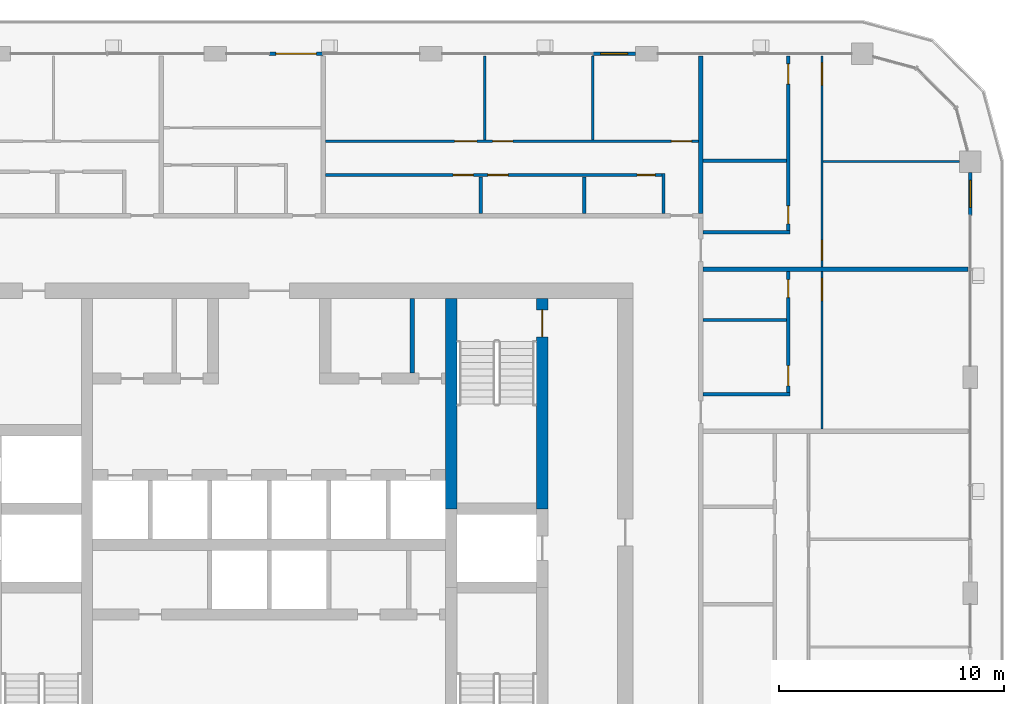
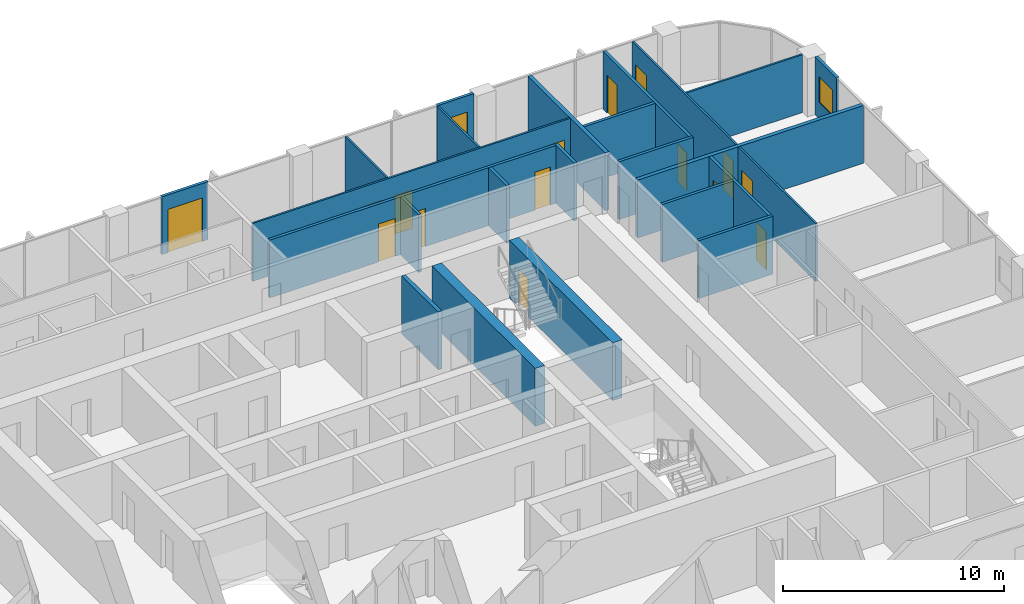
# One storey, part 15 of 22: 24 walls, 15 doors, 2 windows, 17 openings.
"""IFC4 building model written with IfcOpenShell, lengths in metres."""

from ifc_helpers import new_model, si_unit, direction, frame, frame_2d, origin, place, context, subcontext, project, spatial, rectangle, extrude, material, layer, layer_set, type_object, element, fill, save


model = new_model("IFC4")

# Units and contexts
model_context = context("Model", 3, precision=1e-05, world=origin(), true_north=direction((0.0, 1.0)))
body_context = subcontext(model_context, "Body", "Model", "MODEL_VIEW")
ifc_project = project(units=[si_unit("LENGTHUNIT", "METRE"), si_unit("AREAUNIT", "SQUARE_METRE"), si_unit("VOLUMEUNIT", "CUBIC_METRE"), si_unit("PLANEANGLEUNIT", "RADIAN"), si_unit("MASSUNIT", "GRAM", prefix="KILO")], contexts=[model_context])

# Site, building, storey
site_placement = place(None, origin())
site = spatial("IfcSite", under=ifc_project, at=site_placement, CompositionType="ELEMENT")
building_placement = place(site_placement, origin())
building = spatial("IfcBuilding", under=site, at=building_placement, Name="Madar Terraces", CompositionType="ELEMENT")
storey_placement = place(building_placement, frame((0.0, 0.0, 182.39990234375)))
storey = spatial("IfcBuildingStorey", under=building, at=storey_placement, Name="L47", CompositionType="ELEMENT", Elevation=182.39990234375)

# Wall
ifc_material_1 = material(Name="Concrete C60/75", Category="concrete")
ifc_layer_1 = layer(ifc_material_1, 0.5)
ifc_layer_set_1 = layer_set([ifc_layer_1], Name="Concrete C60/75 (CIW4 RC wall 500)")
wall_type_1 = type_object("IfcWallType", Name="CIW4 RC wall 500", PredefinedType="SHEAR", material=ifc_layer_set_1)
wall_1_placement = place(storey_placement, frame((39.300048828125, 27.75, 0.0), z_axis=(0.0, 0.0, 1.0), x_axis=(0.0, 1.0, 0.0)))
element("IfcWall", 1, at=wall_1_placement, inside=storey, type_object=wall_type_1, Name="CORE SHAFT WALL", PredefinedType="SHEAR", context=body_context, shape_type="SweptSolid", body=[
    extrude(rectangle(XDim=9.35009765625, YDim=0.5, at=frame_2d((4.675048828125, 0.0))), origin(), (0.0, 0.0, 1.0), 3.2001953125),
])

# Wall, opening, door
wall_2_placement = place(storey_placement, frame((43.35009765625, 27.75, 0.0), z_axis=(0.0, 0.0, 1.0), x_axis=(0.0, 1.0, 0.0)))
wall_2 = element("IfcWall", 2, at=wall_2_placement, inside=storey, type_object=wall_type_1, Name="CORE SHAFT WALL", PredefinedType="SHEAR", context=body_context, shape_type="SweptSolid", body=[
    extrude(rectangle(XDim=9.35009765625, YDim=0.5, at=frame_2d((4.675048828125, 0.0))), origin(), (0.0, 0.0, 1.0), 3.2001953125),
])
opening_1_placement = place(wall_2_placement, frame((7.64990234375, 0.0, 0.0)))
opening_1 = element("IfcOpeningElement", 3, at=opening_1_placement, cuts=wall_2, Name="Opening SD1", PredefinedType="OPENING", context=body_context, shape_type="SweptSolid", body=[
    extrude(rectangle(XDim=1.199951171875, YDim=2.10009765625, at=frame_2d((0.60009765625, 1.050048828125))), frame((0.0, 0.260009765625, 0.0), z_axis=(0.0, -1.0, 0.0), x_axis=(1.0, 0.0, 0.0)), (0.0, 0.0, 1.0), 0.52001953125),
])
ifc_material_2 = material(Name="Steel door leaf", Category="steel")
door_type_1 = type_object("IfcDoorType", Name="Stair door 1200 x 2100", OperationType="NOTDEFINED", PredefinedType="DOOR", material=ifc_material_2)
door_1_placement = place(opening_1_placement, origin())
door_1 = element("IfcDoor", 4, at=door_1_placement, inside=storey, type_object=door_type_1, Name="STAIR DOOR", OperationType="SINGLE_SWING_LEFT", OverallHeight=2.10009765625, OverallWidth=1.199951171875, PredefinedType="DOOR", context=body_context, shape_type="SweptSolid", body=[
    extrude(rectangle(XDim=1.199951171875, YDim=2.10009765625, at=frame_2d((0.60009765625, 1.050048828125))), frame((0.0, 0.02490234375, 0.0), z_axis=(0.0, -1.0, 0.0), x_axis=(1.0, 0.0, 0.0)), (0.0, 0.0, 1.0), 0.050048828125),
])
fill(opening_1, door_1)

# Wall
ifc_material_3 = material(Name="Masonry blockwork", Category="masonry")
ifc_layer_2 = layer(ifc_material_3, 0.199951171875)
ifc_layer_set_2 = layer_set([ifc_layer_2], Name="Core partition 200 blockwork")
wall_type_2 = type_object("IfcWallType", Name="Core partition 200 blockwork", PredefinedType="PARTITIONING", material=ifc_layer_set_2)
wall_3_placement = place(storey_placement, frame((37.571044921875, 33.800048828125, 0.0), z_axis=(0.0, 0.0, 1.0), x_axis=(0.0, 1.0, 0.0)))
element("IfcWall", 5, at=wall_3_placement, inside=storey, type_object=wall_type_2, Name="SERVICE ROOM PARTITION", PredefinedType="PARTITIONING", context=body_context, shape_type="SweptSolid", body=[
    extrude(rectangle(XDim=3.300048828125, YDim=0.199951171875, at=frame_2d((1.64990234375, 0.0))), origin(), (0.0, 0.0, 1.0), 3.2001953125),
])

# Wall, opening, window
ifc_material_4 = material(Name="Aluminium composite panel, black, over insulated backing", Category="aluminium")
ifc_layer_3 = layer(ifc_material_4, 0.14990234375)
ifc_layer_set_3 = layer_set([ifc_layer_3], Name="Facade bay panel 150")
wall_type_3 = type_object("IfcWallType", Name="Facade bay panel 150", PredefinedType="SOLIDWALL", material=ifc_layer_set_3)
wall_4_placement = place(storey_placement, frame((62.39990234375, 40.800048828125, 0.0), z_axis=(0.0, 0.0, 1.0), x_axis=(0.0, 1.0, 0.0)))
wall_4 = element("IfcWall", 6, at=wall_4_placement, inside=storey, type_object=wall_type_3, Name="Facade bay panel", PredefinedType="SOLIDWALL", context=body_context, shape_type="SweptSolid", body=[
    extrude(rectangle(XDim=1.925048828125, YDim=0.14990234375, at=frame_2d((0.96240234375, 0.0))), origin(), (0.0, 0.0, 1.0), 3.2001953125),
])
opening_2_placement = place(wall_4_placement, frame((0.362548828125, 0.0, 0.89990234375)))
opening_2 = element("IfcOpeningElement", 7, at=opening_2_placement, cuts=wall_4, Name="Opening W1", PredefinedType="OPENING", context=body_context, shape_type="SweptSolid", body=[
    extrude(rectangle(XDim=1.199951171875, YDim=1.39990234375, at=frame_2d((0.60009765625, 0.699951171875))), frame((0.0, 0.0849609375, 0.0), z_axis=(0.0, -1.0, 0.0), x_axis=(1.0, 0.0, 0.0)), (0.0, 0.0, 1.0), 0.169921875),
])
ifc_material_5 = material(Name="Glass, clear, with black aluminium frame", Category="aluminium")
window_type = type_object("IfcWindowType", Name="Vent window 1200 x 1400", PartitioningType="SINGLE_PANEL", PredefinedType="WINDOW", material=ifc_material_5)
window_1_placement = place(opening_2_placement, origin())
window_1 = element("IfcWindow", 8, at=window_1_placement, inside=storey, type_object=window_type, Name="Operable vent window", OverallHeight=1.39990234375, OverallWidth=1.199951171875, PartitioningType="SINGLE_PANEL", PredefinedType="WINDOW", context=body_context, shape_type="SweptSolid", body=[
    extrude(rectangle(XDim=1.199951171875, YDim=1.39990234375, at=frame_2d((0.60009765625, 0.699951171875))), frame((0.0, 0.030029296875, 0.0), z_axis=(0.0, -1.0, 0.0), x_axis=(1.0, 0.0, 0.0)), (0.0, 0.0, 1.0), 0.06005859375),
])
fill(opening_2, window_1)

wall_5_placement = place(storey_placement, frame((47.5, 48.0, 0.0), z_axis=(0.0, 0.0, 1.0), x_axis=(-1.0, 0.0, 0.0)))
wall_5 = element("IfcWall", 9, at=wall_5_placement, inside=storey, type_object=wall_type_3, Name="Facade bay panel", PredefinedType="SOLIDWALL", context=body_context, shape_type="SweptSolid", body=[
    extrude(rectangle(XDim=1.89990234375, YDim=0.14990234375, at=frame_2d((0.949951171875, 0.0))), origin(), (0.0, 0.0, 1.0), 3.2001953125),
])
opening_3_placement = place(wall_5_placement, frame((0.35009765625, 0.0, 0.89990234375)))
opening_3 = element("IfcOpeningElement", 10, at=opening_3_placement, cuts=wall_5, Name="Opening W1", PredefinedType="OPENING", context=body_context, shape_type="SweptSolid", body=[
    extrude(rectangle(XDim=1.199951171875, YDim=1.39990234375, at=frame_2d((0.60009765625, 0.699951171875))), frame((0.0, 0.0849609375, 0.0), z_axis=(0.0, -1.0, 0.0), x_axis=(1.0, 0.0, 0.0)), (0.0, 0.0, 1.0), 0.169921875),
])
window_2_placement = place(opening_3_placement, origin())
window_2 = element("IfcWindow", 11, at=window_2_placement, inside=storey, type_object=window_type, Name="Operable vent window", OverallHeight=1.39990234375, OverallWidth=1.199951171875, PartitioningType="SINGLE_PANEL", PredefinedType="WINDOW", context=body_context, shape_type="SweptSolid", body=[
    extrude(rectangle(XDim=1.199951171875, YDim=1.39990234375, at=frame_2d((0.60009765625, 0.699951171875))), frame((0.0, 0.030029296875, 0.0), z_axis=(0.0, -1.0, 0.0), x_axis=(1.0, 0.0, 0.0)), (0.0, 0.0, 1.0), 0.06005859375),
])
fill(opening_3, window_2)

# Wall, opening, door
wall_6_placement = place(storey_placement, frame((33.60009765625, 48.0, 0.0), z_axis=(0.0, 0.0, 1.0), x_axis=(-1.0, 0.0, 0.0)))
wall_6 = element("IfcWall", 12, at=wall_6_placement, inside=storey, type_object=wall_type_3, Name="Facade bay panel", PredefinedType="SOLIDWALL", context=body_context, shape_type="SweptSolid", body=[
    extrude(rectangle(XDim=2.400146484375, YDim=0.14990234375, at=frame_2d((1.2001953125, 0.0))), origin(), (0.0, 0.0, 1.0), 3.2001953125),
])
opening_4_placement = place(wall_6_placement, frame((0.300048828125, 0.0, 0.0)))
opening_4 = element("IfcOpeningElement", 13, at=opening_4_placement, cuts=wall_6, Name="Opening ED1", PredefinedType="OPENING", context=body_context, shape_type="SweptSolid", body=[
    extrude(rectangle(XDim=1.800048828125, YDim=2.39990234375, at=frame_2d((0.89990234375, 1.199951171875))), frame((0.0, 0.0849609375, 0.0), z_axis=(0.0, -1.0, 0.0), x_axis=(1.0, 0.0, 0.0)), (0.0, 0.0, 1.0), 0.169921875),
])
ifc_material_6 = material(Name="Glass, clear, with black aluminium frame", Category="aluminium")
door_type_2 = type_object("IfcDoorType", Name="Balcony and terrace sliding door 1800 x 2400", OperationType="SLIDING_TO_LEFT", PredefinedType="DOOR", material=ifc_material_6)
door_2_placement = place(opening_4_placement, origin())
door_2 = element("IfcDoor", 14, at=door_2_placement, inside=storey, type_object=door_type_2, Name="Balcony door", OperationType="SLIDING_TO_LEFT", OverallHeight=2.39990234375, OverallWidth=1.800048828125, PredefinedType="DOOR", context=body_context, shape_type="SweptSolid", body=[
    extrude(rectangle(XDim=1.800048828125, YDim=2.39990234375, at=frame_2d((0.89990234375, 1.199951171875))), frame((0.0, 0.02490234375, 0.0), z_axis=(0.0, -1.0, 0.0), x_axis=(1.0, 0.0, 0.0)), (0.0, 0.0, 1.0), 0.050048828125),
])
fill(opening_4, door_2)

ifc_material_7 = material(Name="Gypsum board on steel studs", Category="steel")
ifc_layer_4 = layer(ifc_material_7, 0.10009765625)
ifc_layer_set_4 = layer_set([ifc_layer_4], Name="Flat partition 100")
wall_type_4 = type_object("IfcWallType", Name="Flat partition 100", PredefinedType="PARTITIONING", material=ifc_layer_set_4)
wall_7_placement = place(storey_placement, frame((55.800048828125, 38.300048828125, 0.0), z_axis=(0.0, 0.0, 1.0), x_axis=(0.0, -1.0, 0.0)))
wall_7 = element("IfcWall", 15, at=wall_7_placement, inside=storey, type_object=wall_type_4, Name="Flat partition 100", PredefinedType="PARTITIONING", context=body_context, shape_type="SweptSolid", body=[
    extrude(rectangle(XDim=7.0, YDim=0.10009765625, at=frame_2d((3.5, 0.0))), origin(), (0.0, 0.0, 1.0), 3.2001953125),
])
opening_5_placement = place(wall_7_placement, frame((0.300048828125, 0.0, 0.0)))
opening_5 = element("IfcOpeningElement", 16, at=opening_5_placement, cuts=wall_7, Name="Opening D3", PredefinedType="OPENING", context=body_context, shape_type="SweptSolid", body=[
    extrude(rectangle(XDim=1.0, YDim=2.10009765625, at=frame_2d((0.5, 1.050048828125))), frame((0.0, 0.06005859375, 0.0), z_axis=(0.0, -1.0, 0.0), x_axis=(1.0, 0.0, 0.0)), (0.0, 0.0, 1.0), 0.1201171875),
])
ifc_material_8 = material(Name="Timber door leaf", Category="wood")
door_type_3 = type_object("IfcDoorType", Name="Flat living room door 1000", OperationType="NOTDEFINED", PredefinedType="DOOR", material=ifc_material_8)
door_3_placement = place(opening_5_placement, origin())
door_3 = element("IfcDoor", 17, at=door_3_placement, inside=storey, type_object=door_type_3, Name="Flat living room door 1000", OperationType="SINGLE_SWING_LEFT", OverallHeight=2.10009765625, OverallWidth=1.0, PredefinedType="DOOR", context=body_context, shape_type="SweptSolid", body=[
    extrude(rectangle(XDim=1.0, YDim=2.10009765625, at=frame_2d((0.5, 1.050048828125))), frame((0.0, 0.02490234375, 0.0), z_axis=(0.0, -1.0, 0.0), x_axis=(1.0, 0.0, 0.0)), (0.0, 0.0, 1.0), 0.050048828125),
])
fill(opening_5, door_3)

# Wall
wall_8_placement = place(storey_placement, frame((55.85009765625, 43.199951171875, 0.0), z_axis=(0.0, 0.0, 1.0), x_axis=(1.0, 0.0, 0.0)))
element("IfcWall", 18, at=wall_8_placement, inside=storey, type_object=wall_type_4, Name="Flat partition 100", PredefinedType="PARTITIONING", context=body_context, shape_type="SweptSolid", body=[
    extrude(rectangle(XDim=6.074951171875, YDim=0.10009765625, at=frame_2d((3.03759765625, 0.0))), origin(), (0.0, 0.0, 1.0), 3.2001953125),
])

# Wall, openings, doors
wall_9_placement = place(storey_placement, frame((55.800048828125, 47.89990234375, 0.0), z_axis=(0.0, 0.0, 1.0), x_axis=(0.0, -1.0, 0.0)))
wall_9 = element("IfcWall", 19, at=wall_9_placement, inside=storey, type_object=wall_type_4, Name="Flat partition 100", PredefinedType="PARTITIONING", context=body_context, shape_type="SweptSolid", body=[
    extrude(rectangle(XDim=9.39990234375, YDim=0.10009765625, at=frame_2d((4.699951171875, 0.0))), origin(), (0.0, 0.0, 1.0), 3.2001953125),
])
opening_6_placement = place(wall_9_placement, frame((8.199951171875, 0.0, 0.0)))
opening_6 = element("IfcOpeningElement", 20, at=opening_6_placement, cuts=wall_9, Name="Opening D2", PredefinedType="OPENING", context=body_context, shape_type="SweptSolid", body=[
    extrude(rectangle(XDim=0.89990234375, YDim=2.10009765625, at=frame_2d((0.449951171875, 1.050048828125))), frame((0.0, 0.06005859375, 0.0), z_axis=(0.0, -1.0, 0.0), x_axis=(1.0, 0.0, 0.0)), (0.0, 0.0, 1.0), 0.1201171875),
])
opening_7_placement = place(wall_9_placement, frame((0.300048828125, 0.0, 0.0)))
opening_7 = element("IfcOpeningElement", 21, at=opening_7_placement, cuts=wall_9, Name="Opening D3", PredefinedType="OPENING", context=body_context, shape_type="SweptSolid", body=[
    extrude(rectangle(XDim=1.0, YDim=2.10009765625, at=frame_2d((0.5, 1.050048828125))), frame((0.0, 0.06005859375, 0.0), z_axis=(0.0, -1.0, 0.0), x_axis=(1.0, 0.0, 0.0)), (0.0, 0.0, 1.0), 0.1201171875),
])
door_4_placement = place(opening_7_placement, origin())
door_4 = element("IfcDoor", 22, at=door_4_placement, inside=storey, type_object=door_type_3, Name="Flat living room door 1000", OperationType="SINGLE_SWING_LEFT", OverallHeight=2.10009765625, OverallWidth=1.0, PredefinedType="DOOR", context=body_context, shape_type="SweptSolid", body=[
    extrude(rectangle(XDim=1.0, YDim=2.10009765625, at=frame_2d((0.5, 1.050048828125))), frame((0.0, 0.02490234375, 0.0), z_axis=(0.0, -1.0, 0.0), x_axis=(1.0, 0.0, 0.0)), (0.0, 0.0, 1.0), 0.050048828125),
])
fill(opening_7, door_4)
ifc_material_9 = material(Name="Timber door leaf", Category="wood")
door_type_4 = type_object("IfcDoorType", Name="Flat room door 900", OperationType="NOTDEFINED", PredefinedType="DOOR", material=ifc_material_9)
door_5_placement = place(opening_6_placement, origin())
door_5 = element("IfcDoor", 23, at=door_5_placement, inside=storey, type_object=door_type_4, Name="Flat room door 900", OperationType="SINGLE_SWING_RIGHT", OverallHeight=2.10009765625, OverallWidth=0.89990234375, PredefinedType="DOOR", context=body_context, shape_type="SweptSolid", body=[
    extrude(rectangle(XDim=0.89990234375, YDim=2.10009765625, at=frame_2d((0.449951171875, 1.050048828125))), frame((0.0, 0.02490234375, 0.0), z_axis=(0.0, -1.0, 0.0), x_axis=(1.0, 0.0, 0.0)), (0.0, 0.0, 1.0), 0.050048828125),
])
fill(opening_6, door_5)

# Walls
for number, where, z_axis, x_axis, name in (
    (24, (45.60009765625, 44.14990234375, 0.0), (0.0, 0.0, 1.0), (0.0, 1.0, 0.0), "Flat partition 100"),
    (25, (40.800048828125, 44.14990234375, 0.0), (0.0, 0.0, 1.0), (0.0, 1.0, 0.0), "Flat partition 100"),
):
    element("IfcWall", number, at=place(storey_placement, frame(where, z_axis=z_axis, x_axis=x_axis)), inside=storey, type_object=wall_type_4, Name=name, PredefinedType="PARTITIONING", context=body_context, shape_type="SweptSolid", body=[
        extrude(rectangle(XDim=3.75, YDim=0.10009765625, at=frame_2d((1.875, 0.0))), origin(), (0.0, 0.0, 1.0), 3.2001953125),
    ])

# Wall, openings, doors
wall_10_placement = place(storey_placement, frame((33.699951171875, 44.10009765625, 0.0), z_axis=(0.0, 0.0, 1.0), x_axis=(1.0, 0.0, 0.0)))
wall_10 = element("IfcWall", 26, at=wall_10_placement, inside=storey, type_object=wall_type_4, Name="Flat partition 100", PredefinedType="PARTITIONING", context=body_context, shape_type="SweptSolid", body=[
    extrude(rectangle(XDim=16.60009765625, YDim=0.10009765625, at=frame_2d((8.300048828125, 0.0))), origin(), (0.0, 0.0, 1.0), 3.2001953125),
])
opening_8_placement = place(wall_10_placement, frame((15.39990234375, 0.0, 0.0)))
opening_8 = element("IfcOpeningElement", 27, at=opening_8_placement, cuts=wall_10, Name="Opening D2", PredefinedType="OPENING", context=body_context, shape_type="SweptSolid", body=[
    extrude(rectangle(XDim=0.89990234375, YDim=2.10009765625, at=frame_2d((0.449951171875, 1.050048828125))), frame((0.0, 0.06005859375, 0.0), z_axis=(0.0, -1.0, 0.0), x_axis=(1.0, 0.0, 0.0)), (0.0, 0.0, 1.0), 0.1201171875),
])
opening_9_placement = place(wall_10_placement, frame((7.449951171875, 0.0, 0.0)))
opening_9 = element("IfcOpeningElement", 28, at=opening_9_placement, cuts=wall_10, Name="Opening D2", PredefinedType="OPENING", context=body_context, shape_type="SweptSolid", body=[
    extrude(rectangle(XDim=0.89990234375, YDim=2.10009765625, at=frame_2d((0.449951171875, 1.050048828125))), frame((0.0, 0.06005859375, 0.0), z_axis=(0.0, -1.0, 0.0), x_axis=(1.0, 0.0, 0.0)), (0.0, 0.0, 1.0), 0.1201171875),
])
opening_10_placement = place(wall_10_placement, frame((5.75, 0.0, 0.0)))
opening_10 = element("IfcOpeningElement", 29, at=opening_10_placement, cuts=wall_10, Name="Opening D3", PredefinedType="OPENING", context=body_context, shape_type="SweptSolid", body=[
    extrude(rectangle(XDim=1.0, YDim=2.10009765625, at=frame_2d((0.5, 1.050048828125))), frame((0.0, 0.06005859375, 0.0), z_axis=(0.0, -1.0, 0.0), x_axis=(1.0, 0.0, 0.0)), (0.0, 0.0, 1.0), 0.1201171875),
])
door_6_placement = place(opening_10_placement, origin())
door_6 = element("IfcDoor", 30, at=door_6_placement, inside=storey, type_object=door_type_3, Name="Flat living room door 1000", OperationType="SINGLE_SWING_RIGHT", OverallHeight=2.10009765625, OverallWidth=1.0, PredefinedType="DOOR", context=body_context, shape_type="SweptSolid", body=[
    extrude(rectangle(XDim=1.0, YDim=2.10009765625, at=frame_2d((0.5, 1.050048828125))), frame((0.0, 0.02490234375, 0.0), z_axis=(0.0, -1.0, 0.0), x_axis=(1.0, 0.0, 0.0)), (0.0, 0.0, 1.0), 0.050048828125),
])
fill(opening_10, door_6)
door_7_placement = place(opening_8_placement, origin())
door_7 = element("IfcDoor", 31, at=door_7_placement, inside=storey, type_object=door_type_4, Name="Flat room door 900", OperationType="SINGLE_SWING_RIGHT", OverallHeight=2.10009765625, OverallWidth=0.89990234375, PredefinedType="DOOR", context=body_context, shape_type="SweptSolid", body=[
    extrude(rectangle(XDim=0.89990234375, YDim=2.10009765625, at=frame_2d((0.449951171875, 1.050048828125))), frame((0.0, 0.02490234375, 0.0), z_axis=(0.0, -1.0, 0.0), x_axis=(1.0, 0.0, 0.0)), (0.0, 0.0, 1.0), 0.050048828125),
])
fill(opening_8, door_7)
door_8_placement = place(opening_9_placement, origin())
door_8 = element("IfcDoor", 32, at=door_8_placement, inside=storey, type_object=door_type_4, Name="Flat room door 900", OperationType="SINGLE_SWING_LEFT", OverallHeight=2.10009765625, OverallWidth=0.89990234375, PredefinedType="DOOR", context=body_context, shape_type="SweptSolid", body=[
    extrude(rectangle(XDim=0.89990234375, YDim=2.10009765625, at=frame_2d((0.449951171875, 1.050048828125))), frame((0.0, 0.02490234375, 0.0), z_axis=(0.0, -1.0, 0.0), x_axis=(1.0, 0.0, 0.0)), (0.0, 0.0, 1.0), 0.050048828125),
])
fill(opening_9, door_8)

# Walls
ifc_material_10 = material(Name="Lightweight blockwork", Category="masonry")
ifc_layer_5 = layer(ifc_material_10, 0.199951171875)
ifc_layer_set_5 = layer_set([ifc_layer_5], Name="Flat party and entrance wall 200")
wall_type_5 = type_object("IfcWallType", Name="Flat party and entrance wall 200", PredefinedType="PARTITIONING", material=ifc_layer_set_5)
wall_11_placement = place(storey_placement, frame((50.5, 38.39990234375, 0.0), z_axis=(0.0, 0.0, 1.0), x_axis=(1.0, 0.0, 0.0)))
element("IfcWall", 33, at=wall_11_placement, inside=storey, type_object=wall_type_5, Name="Flat party and entrance wall 200", PredefinedType="PARTITIONING", context=body_context, shape_type="SweptSolid", body=[
    extrude(rectangle(XDim=11.800048828125, YDim=0.199951171875, at=frame_2d((5.89990234375, 0.0))), origin(), (0.0, 0.0, 1.0), 3.2001953125),
])
wall_12_placement = place(storey_placement, frame((50.39990234375, 40.89990234375, 0.0), z_axis=(0.0, 0.0, 1.0), x_axis=(0.0, 1.0, 0.0)))
element("IfcWall", 34, at=wall_12_placement, inside=storey, type_object=wall_type_5, Name="Flat party and entrance wall 200", PredefinedType="PARTITIONING", context=body_context, shape_type="SweptSolid", body=[
    extrude(rectangle(XDim=7.0, YDim=0.199951171875, at=frame_2d((3.5, 0.0))), origin(), (0.0, 0.0, 1.0), 3.2001953125),
])
ifc_material_11 = material(Name="Lightweight blockwork", Category="masonry")
ifc_layer_6 = layer(ifc_material_11, 0.14990234375)
ifc_layer_set_6 = layer_set([ifc_layer_6], Name="Flat wet-room partition 150")
wall_type_6 = type_object("IfcWallType", Name="Flat wet-room partition 150", PredefinedType="PARTITIONING", material=ifc_layer_set_6)
wall_13_placement = place(storey_placement, frame((50.5, 36.14990234375, 0.0), z_axis=(0.0, 0.0, 1.0), x_axis=(1.0, 0.0, 0.0)))
element("IfcWall", 35, at=wall_13_placement, inside=storey, type_object=wall_type_6, Name="Flat wet-room partition 150", PredefinedType="PARTITIONING", context=body_context, shape_type="SweptSolid", body=[
    extrude(rectangle(XDim=3.72509765625, YDim=0.14990234375, at=frame_2d((1.862548828125, 0.0))), origin(), (0.0, 0.0, 1.0), 3.2001953125),
])
wall_14_placement = place(storey_placement, frame((50.5, 32.85009765625, 0.0), z_axis=(0.0, 0.0, 1.0), x_axis=(1.0, 0.0, 0.0)))
element("IfcWall", 36, at=wall_14_placement, inside=storey, type_object=wall_type_6, Name="Flat wet-room partition 150", PredefinedType="PARTITIONING", context=body_context, shape_type="SweptSolid", body=[
    extrude(rectangle(XDim=3.875, YDim=0.14990234375, at=frame_2d((1.9375, 0.0))), origin(), (0.0, 0.0, 1.0), 3.2001953125),
])

# Wall, openings, doors
wall_15_placement = place(storey_placement, frame((54.300048828125, 32.925048828125, 0.0), z_axis=(0.0, 0.0, 1.0), x_axis=(0.0, 1.0, 0.0)))
wall_15 = element("IfcWall", 37, at=wall_15_placement, inside=storey, type_object=wall_type_6, Name="Flat wet-room partition 150", PredefinedType="PARTITIONING", context=body_context, shape_type="SweptSolid", body=[
    extrude(rectangle(XDim=5.375, YDim=0.14990234375, at=frame_2d((2.6875, 0.0))), origin(), (0.0, 0.0, 1.0), 3.2001953125),
])
opening_11_placement = place(wall_15_placement, frame((0.300048828125, 0.0, 0.0)))
opening_11 = element("IfcOpeningElement", 38, at=opening_11_placement, cuts=wall_15, Name="Opening D2", PredefinedType="OPENING", context=body_context, shape_type="SweptSolid", body=[
    extrude(rectangle(XDim=0.89990234375, YDim=2.10009765625, at=frame_2d((0.449951171875, 1.050048828125))), frame((0.0, 0.0849609375, 0.0), z_axis=(0.0, -1.0, 0.0), x_axis=(1.0, 0.0, 0.0)), (0.0, 0.0, 1.0), 0.169921875),
])
opening_12_placement = place(wall_15_placement, frame((4.22509765625, 0.0, 0.0)))
opening_12 = element("IfcOpeningElement", 39, at=opening_12_placement, cuts=wall_15, Name="Opening D4", PredefinedType="OPENING", context=body_context, shape_type="SweptSolid", body=[
    extrude(rectangle(XDim=0.800048828125, YDim=2.10009765625, at=frame_2d((0.39990234375, 1.050048828125))), frame((0.0, 0.0849609375, 0.0), z_axis=(0.0, -1.0, 0.0), x_axis=(1.0, 0.0, 0.0)), (0.0, 0.0, 1.0), 0.169921875),
])
ifc_material_12 = material(Name="Timber door leaf", Category="wood")
door_type_5 = type_object("IfcDoorType", Name="Flat bathroom door 800", OperationType="NOTDEFINED", PredefinedType="DOOR", material=ifc_material_12)
door_9_placement = place(opening_12_placement, origin())
door_9 = element("IfcDoor", 40, at=door_9_placement, inside=storey, type_object=door_type_5, Name="Flat bathroom door 800", OperationType="SINGLE_SWING_RIGHT", OverallHeight=2.10009765625, OverallWidth=0.800048828125, PredefinedType="DOOR", context=body_context, shape_type="SweptSolid", body=[
    extrude(rectangle(XDim=0.800048828125, YDim=2.10009765625, at=frame_2d((0.39990234375, 1.050048828125))), frame((0.0, 0.02490234375, 0.0), z_axis=(0.0, -1.0, 0.0), x_axis=(1.0, 0.0, 0.0)), (0.0, 0.0, 1.0), 0.050048828125),
])
fill(opening_12, door_9)
door_10_placement = place(opening_11_placement, origin())
door_10 = element("IfcDoor", 41, at=door_10_placement, inside=storey, type_object=door_type_4, Name="Flat room door 900", OperationType="SINGLE_SWING_LEFT", OverallHeight=2.10009765625, OverallWidth=0.89990234375, PredefinedType="DOOR", context=body_context, shape_type="SweptSolid", body=[
    extrude(rectangle(XDim=0.89990234375, YDim=2.10009765625, at=frame_2d((0.449951171875, 1.050048828125))), frame((0.0, 0.02490234375, 0.0), z_axis=(0.0, -1.0, 0.0), x_axis=(1.0, 0.0, 0.0)), (0.0, 0.0, 1.0), 0.050048828125),
])
fill(opening_11, door_10)

# Walls
wall_16_placement = place(storey_placement, frame((50.5, 43.235107421875, 0.0), z_axis=(0.0, 0.0, 1.0), x_axis=(1.0, 0.0, 0.0)))
element("IfcWall", 42, at=wall_16_placement, inside=storey, type_object=wall_type_6, Name="Flat wet-room partition 150", PredefinedType="PARTITIONING", context=body_context, shape_type="SweptSolid", body=[
    extrude(rectangle(XDim=3.72509765625, YDim=0.14990234375, at=frame_2d((1.862548828125, 0.0))), origin(), (0.0, 0.0, 1.0), 3.2001953125),
])
wall_17_placement = place(storey_placement, frame((50.5, 40.050048828125, 0.0), z_axis=(0.0, 0.0, 1.0), x_axis=(1.0, 0.0, 0.0)))
element("IfcWall", 43, at=wall_17_placement, inside=storey, type_object=wall_type_6, Name="Flat wet-room partition 150", PredefinedType="PARTITIONING", context=body_context, shape_type="SweptSolid", body=[
    extrude(rectangle(XDim=3.875, YDim=0.14990234375, at=frame_2d((1.9375, 0.0))), origin(), (0.0, 0.0, 1.0), 3.2001953125),
])

# Wall, openings, doors
wall_18_placement = place(storey_placement, frame((54.300048828125, 40.125, 0.0), z_axis=(0.0, 0.0, 1.0), x_axis=(0.0, 1.0, 0.0)))
wall_18 = element("IfcWall", 44, at=wall_18_placement, inside=storey, type_object=wall_type_6, Name="Flat wet-room partition 150", PredefinedType="PARTITIONING", context=body_context, shape_type="SweptSolid", body=[
    extrude(rectangle(XDim=7.77490234375, YDim=0.14990234375, at=frame_2d((3.887451171875, 0.0))), origin(), (0.0, 0.0, 1.0), 3.2001953125),
])
opening_13_placement = place(wall_18_placement, frame((0.300048828125, 0.0, 0.0)))
opening_13 = element("IfcOpeningElement", 45, at=opening_13_placement, cuts=wall_18, Name="Opening D4", PredefinedType="OPENING", context=body_context, shape_type="SweptSolid", body=[
    extrude(rectangle(XDim=0.800048828125, YDim=2.10009765625, at=frame_2d((0.39990234375, 1.050048828125))), frame((0.0, 0.0849609375, 0.0), z_axis=(0.0, -1.0, 0.0), x_axis=(1.0, 0.0, 0.0)), (0.0, 0.0, 1.0), 0.169921875),
])
opening_14_placement = place(wall_18_placement, frame((6.52490234375, 0.0, 0.0)))
opening_14 = element("IfcOpeningElement", 46, at=opening_14_placement, cuts=wall_18, Name="Opening D2", PredefinedType="OPENING", context=body_context, shape_type="SweptSolid", body=[
    extrude(rectangle(XDim=0.89990234375, YDim=2.10009765625, at=frame_2d((0.449951171875, 1.050048828125))), frame((0.0, 0.0849609375, 0.0), z_axis=(0.0, -1.0, 0.0), x_axis=(1.0, 0.0, 0.0)), (0.0, 0.0, 1.0), 0.169921875),
])
door_11_placement = place(opening_13_placement, origin())
door_11 = element("IfcDoor", 47, at=door_11_placement, inside=storey, type_object=door_type_5, Name="Flat bathroom door 800", OperationType="SINGLE_SWING_LEFT", OverallHeight=2.10009765625, OverallWidth=0.800048828125, PredefinedType="DOOR", context=body_context, shape_type="SweptSolid", body=[
    extrude(rectangle(XDim=0.800048828125, YDim=2.10009765625, at=frame_2d((0.39990234375, 1.050048828125))), frame((0.0, 0.02490234375, 0.0), z_axis=(0.0, -1.0, 0.0), x_axis=(1.0, 0.0, 0.0)), (0.0, 0.0, 1.0), 0.050048828125),
])
fill(opening_13, door_11)
door_12_placement = place(opening_14_placement, origin())
door_12 = element("IfcDoor", 48, at=door_12_placement, inside=storey, type_object=door_type_4, Name="Flat room door 900", OperationType="SINGLE_SWING_RIGHT", OverallHeight=2.10009765625, OverallWidth=0.89990234375, PredefinedType="DOOR", context=body_context, shape_type="SweptSolid", body=[
    extrude(rectangle(XDim=0.89990234375, YDim=2.10009765625, at=frame_2d((0.449951171875, 1.050048828125))), frame((0.0, 0.02490234375, 0.0), z_axis=(0.0, -1.0, 0.0), x_axis=(1.0, 0.0, 0.0)), (0.0, 0.0, 1.0), 0.050048828125),
])
fill(opening_14, door_12)

# Walls
for number, where, z_axis, x_axis, name in (
    (49, (45.21923828125, 40.89990234375, 0.0), (0.0, 0.0, 1.0), (0.0, 1.0, 0.0), "Flat wet-room partition 150"),
    (50, (40.611572265625, 40.89990234375, 0.0), (0.0, 0.0, 1.0), (0.0, 1.0, 0.0), "Flat wet-room partition 150"),
):
    element("IfcWall", number, at=place(storey_placement, frame(where, z_axis=z_axis, x_axis=x_axis)), inside=storey, type_object=wall_type_6, Name=name, PredefinedType="PARTITIONING", context=body_context, shape_type="SweptSolid", body=[
        extrude(rectangle(XDim=1.625, YDim=0.14990234375, at=frame_2d((0.8125, 0.0))), origin(), (0.0, 0.0, 1.0), 3.2001953125),
    ])
wall_19_placement = place(storey_placement, frame((48.75, 40.89990234375, 0.0), z_axis=(0.0, 0.0, 1.0), x_axis=(0.0, 1.0, 0.0)))
element("IfcWall", 51, at=wall_19_placement, inside=storey, type_object=wall_type_6, Name="Flat wet-room partition 150", PredefinedType="PARTITIONING", context=body_context, shape_type="SweptSolid", body=[
    extrude(rectangle(XDim=1.775146484375, YDim=0.14990234375, at=frame_2d((0.8876953125, 0.0))), origin(), (0.0, 0.0, 1.0), 3.2001953125),
])

# Wall, openings, doors
wall_20_placement = place(storey_placement, frame((48.675048828125, 42.60009765625, 0.0), z_axis=(0.0, 0.0, 1.0), x_axis=(-1.0, 0.0, 0.0)))
wall_20 = element("IfcWall", 52, at=wall_20_placement, inside=storey, type_object=wall_type_6, Name="Flat wet-room partition 150", PredefinedType="PARTITIONING", context=body_context, shape_type="SweptSolid", body=[
    extrude(rectangle(XDim=14.97509765625, YDim=0.14990234375, at=frame_2d((7.487548828125, 0.0))), origin(), (0.0, 0.0, 1.0), 3.2001953125),
])
opening_15_placement = place(wall_20_placement, frame((0.300048828125, 0.0, 0.0)))
opening_15 = element("IfcOpeningElement", 53, at=opening_15_placement, cuts=wall_20, Name="Opening D4", PredefinedType="OPENING", context=body_context, shape_type="SweptSolid", body=[
    extrude(rectangle(XDim=0.800048828125, YDim=2.10009765625, at=frame_2d((0.39990234375, 1.050048828125))), frame((0.0, 0.0849609375, 0.0), z_axis=(0.0, -1.0, 0.0), x_axis=(1.0, 0.0, 0.0)), (0.0, 0.0, 1.0), 0.169921875),
])
opening_16_placement = place(wall_20_placement, frame((6.83837890625, 0.0, 0.0)))
opening_16 = element("IfcOpeningElement", 54, at=opening_16_placement, cuts=wall_20, Name="Opening D5", PredefinedType="OPENING", context=body_context, shape_type="SweptSolid", body=[
    extrude(rectangle(XDim=0.89990234375, YDim=2.10009765625, at=frame_2d((0.449951171875, 1.050048828125))), frame((0.0, 0.0849609375, 0.0), z_axis=(0.0, -1.0, 0.0), x_axis=(1.0, 0.0, 0.0)), (0.0, 0.0, 1.0), 0.169921875),
])
opening_17_placement = place(wall_20_placement, frame((8.388427734375, 0.0, 0.0)))
opening_17 = element("IfcOpeningElement", 55, at=opening_17_placement, cuts=wall_20, Name="Opening D2", PredefinedType="OPENING", context=body_context, shape_type="SweptSolid", body=[
    extrude(rectangle(XDim=0.89990234375, YDim=2.10009765625, at=frame_2d((0.449951171875, 1.050048828125))), frame((0.0, 0.0849609375, 0.0), z_axis=(0.0, -1.0, 0.0), x_axis=(1.0, 0.0, 0.0)), (0.0, 0.0, 1.0), 0.169921875),
])
ifc_material_13 = material(Name="Timber door leaf", Category="wood")
door_type_6 = type_object("IfcDoorType", Name="Flat accessible bathroom door 900", OperationType="NOTDEFINED", PredefinedType="DOOR", material=ifc_material_13)
door_13_placement = place(opening_16_placement, origin())
door_13 = element("IfcDoor", 56, at=door_13_placement, inside=storey, type_object=door_type_6, Name="Flat accessible bathroom door 900", OperationType="SINGLE_SWING_RIGHT", OverallHeight=2.10009765625, OverallWidth=0.89990234375, PredefinedType="DOOR", context=body_context, shape_type="SweptSolid", body=[
    extrude(rectangle(XDim=0.89990234375, YDim=2.10009765625, at=frame_2d((0.449951171875, 1.050048828125))), frame((0.0, 0.02490234375, 0.0), z_axis=(0.0, -1.0, 0.0), x_axis=(1.0, 0.0, 0.0)), (0.0, 0.0, 1.0), 0.050048828125),
])
fill(opening_16, door_13)
door_14_placement = place(opening_15_placement, origin())
door_14 = element("IfcDoor", 57, at=door_14_placement, inside=storey, type_object=door_type_5, Name="Flat bathroom door 800", OperationType="SINGLE_SWING_LEFT", OverallHeight=2.10009765625, OverallWidth=0.800048828125, PredefinedType="DOOR", context=body_context, shape_type="SweptSolid", body=[
    extrude(rectangle(XDim=0.800048828125, YDim=2.10009765625, at=frame_2d((0.39990234375, 1.050048828125))), frame((0.0, 0.02490234375, 0.0), z_axis=(0.0, -1.0, 0.0), x_axis=(1.0, 0.0, 0.0)), (0.0, 0.0, 1.0), 0.050048828125),
])
fill(opening_15, door_14)
door_15_placement = place(opening_17_placement, origin())
door_15 = element("IfcDoor", 58, at=door_15_placement, inside=storey, type_object=door_type_4, Name="Flat room door 900", OperationType="SINGLE_SWING_LEFT", OverallHeight=2.10009765625, OverallWidth=0.89990234375, PredefinedType="DOOR", context=body_context, shape_type="SweptSolid", body=[
    extrude(rectangle(XDim=0.89990234375, YDim=2.10009765625, at=frame_2d((0.449951171875, 1.050048828125))), frame((0.0, 0.02490234375, 0.0), z_axis=(0.0, -1.0, 0.0), x_axis=(1.0, 0.0, 0.0)), (0.0, 0.0, 1.0), 0.050048828125),
])
fill(opening_17, door_15)

save(model, "model.ifc")
